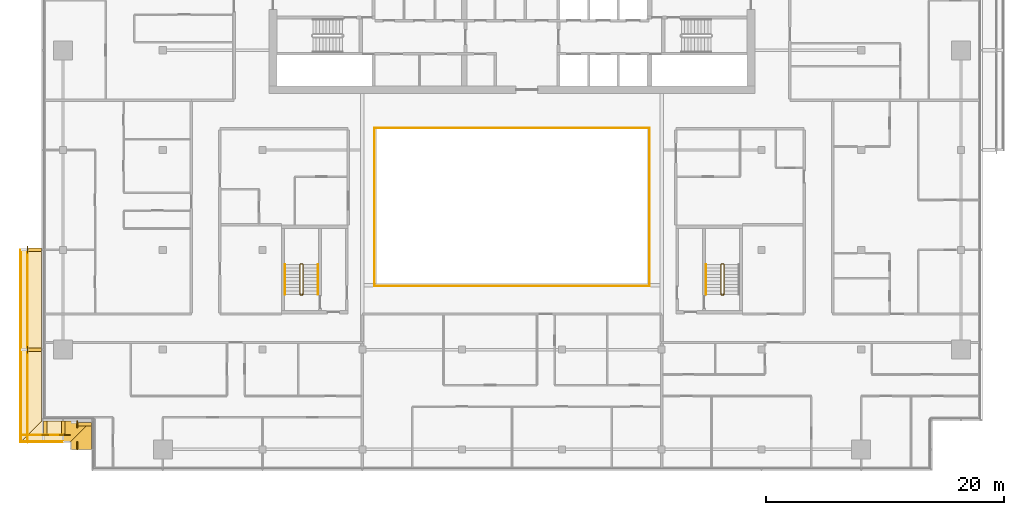
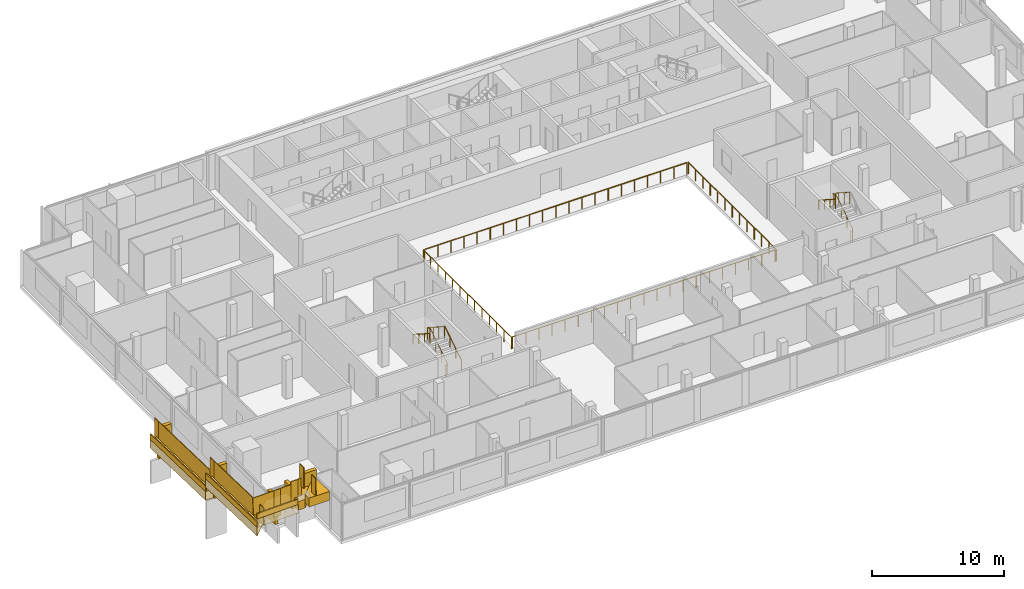
# One storey, part 26 of 30: 19 railings, 13 coverings.
"""IFC4 building model written with IfcOpenShell, lengths in metres."""

from ifc_helpers import new_model, si_unit, direction, frame, origin, origin_2d, place, context, subcontext, project, spatial, polyline, rectangle, circle, outline, extrude, material, layer, layer_set, type_object, element, save


model = new_model("IFC4")

# Units and contexts
model_context = context("Model", 3, precision=1e-05, world=origin(), true_north=direction((0.0, 1.0)))
body_context = subcontext(model_context, "Body", "Model", "MODEL_VIEW")
ifc_project = project(units=[si_unit("LENGTHUNIT", "METRE"), si_unit("AREAUNIT", "SQUARE_METRE"), si_unit("VOLUMEUNIT", "CUBIC_METRE"), si_unit("PLANEANGLEUNIT", "RADIAN"), si_unit("MASSUNIT", "GRAM", prefix="KILO")], contexts=[model_context])

# Site, building, storey
site_placement = place(None, origin())
site = spatial("IfcSite", under=ifc_project, at=site_placement, CompositionType="ELEMENT")
building_placement = place(site_placement, origin())
building = spatial("IfcBuilding", under=site, at=building_placement, Name="Saffron Gate Tower", CompositionType="ELEMENT")
storey_placement = place(building_placement, frame((0.0, 0.0, 245.10009765625)))
storey = spatial("IfcBuildingStorey", under=building, at=storey_placement, Name="L60", CompositionType="ELEMENT", Elevation=245.10009765625)

# Railings
ifc_material_1 = material(Name="Stainless steel and laminated glass", Category="steel")
railing_type_1 = type_object("IfcRailingType", Name="AG1 Atrium edge guard 1100", PredefinedType="GUARDRAIL", material=ifc_material_1)
railing_1_placement = place(storey_placement, frame((76.02001953125, 45.5400390625, 0.0)))
element("IfcRailing", 1, at=railing_1_placement, inside=storey, type_object=railing_type_1, Name="Guard D4-1", PredefinedType="GUARDRAIL", context=body_context, shape_type="SweptSolid", body=[
    extrude(circle(Radius=0.02392578125, at=origin_2d()), frame((0.0, 0.0, 1.076171875), z_axis=(0.0, 1.0, 0.0), x_axis=(-1.0, 0.0, 0.0)), (0.0, 0.0, 1.0), 13.320068359375),
    extrude(circle(Radius=0.02099609375, at=origin_2d()), origin(), (0.0, 0.0, 1.0), 1.052001953125),
    extrude(circle(Radius=0.02099609375, at=origin_2d()), frame((0.0, 1.110107421875, 0.0)), (0.0, 0.0, 1.0), 1.052001953125),
    extrude(circle(Radius=0.02099609375, at=origin_2d()), frame((0.0, 2.219970703125, 0.0)), (0.0, 0.0, 1.0), 1.052001953125),
    extrude(circle(Radius=0.02099609375, at=origin_2d()), frame((0.0, 3.330078125, 0.0)), (0.0, 0.0, 1.0), 1.052001953125),
    extrude(circle(Radius=0.02099609375, at=origin_2d()), frame((0.0, 4.43994140625, 0.0)), (0.0, 0.0, 1.0), 1.052001953125),
    extrude(circle(Radius=0.02099609375, at=origin_2d()), frame((0.0, 5.550048828125, 0.0)), (0.0, 0.0, 1.0), 1.052001953125),
    extrude(circle(Radius=0.02099609375, at=origin_2d()), frame((0.0, 6.66015625, 0.0)), (0.0, 0.0, 1.0), 1.052001953125),
    extrude(circle(Radius=0.02099609375, at=origin_2d()), frame((0.0, 7.77001953125, 0.0)), (0.0, 0.0, 1.0), 1.052001953125),
    extrude(circle(Radius=0.02099609375, at=origin_2d()), frame((0.0, 8.880126953125, 0.0)), (0.0, 0.0, 1.0), 1.052001953125),
    extrude(circle(Radius=0.02099609375, at=origin_2d()), frame((0.0, 9.989990234375, 0.0)), (0.0, 0.0, 1.0), 1.052001953125),
    extrude(circle(Radius=0.02099609375, at=origin_2d()), frame((0.0, 11.10009765625, 0.0)), (0.0, 0.0, 1.0), 1.052001953125),
    extrude(circle(Radius=0.02099609375, at=origin_2d()), frame((0.0, 12.2099609375, 0.0)), (0.0, 0.0, 1.0), 1.052001953125),
    extrude(circle(Radius=0.02099609375, at=origin_2d()), frame((0.0, 13.320068359375, 0.0)), (0.0, 0.0, 1.0), 1.052001953125),
])
railing_2_placement = place(storey_placement, frame((76.139892578125, 58.860107421875, 0.0)))
element("IfcRailing", 2, at=railing_2_placement, inside=storey, type_object=railing_type_1, Name="Guard D4-2", PredefinedType="GUARDRAIL", context=body_context, shape_type="SweptSolid", body=[
    extrude(circle(Radius=0.02392578125, at=origin_2d()), frame((0.0, 0.0, 1.076171875), z_axis=(1.0, 0.0, 0.0), x_axis=(0.0, 1.0, 0.0)), (0.0, 0.0, 1.0), 22.920166015625),
    extrude(circle(Radius=0.02099609375, at=origin_2d()), origin(), (0.0, 0.0, 1.0), 1.052001953125),
    extrude(circle(Radius=0.02099609375, at=origin_2d()), frame((1.14599609375, 0.0, 0.0)), (0.0, 0.0, 1.0), 1.052001953125),
    extrude(circle(Radius=0.02099609375, at=origin_2d()), frame((2.2919921875, 0.0, 0.0)), (0.0, 0.0, 1.0), 1.052001953125),
    extrude(circle(Radius=0.02099609375, at=origin_2d()), frame((3.43798828125, 0.0, 0.0)), (0.0, 0.0, 1.0), 1.052001953125),
    extrude(circle(Radius=0.02099609375, at=origin_2d()), frame((4.583984375, 0.0, 0.0)), (0.0, 0.0, 1.0), 1.052001953125),
    extrude(circle(Radius=0.02099609375, at=origin_2d()), frame((5.72998046875, 0.0, 0.0)), (0.0, 0.0, 1.0), 1.052001953125),
    extrude(circle(Radius=0.02099609375, at=origin_2d()), frame((6.8759765625, 0.0, 0.0)), (0.0, 0.0, 1.0), 1.052001953125),
    extrude(circle(Radius=0.02099609375, at=origin_2d()), frame((8.02197265625, 0.0, 0.0)), (0.0, 0.0, 1.0), 1.052001953125),
    extrude(circle(Radius=0.02099609375, at=origin_2d()), frame((9.16796875, 0.0, 0.0)), (0.0, 0.0, 1.0), 1.052001953125),
    extrude(circle(Radius=0.02099609375, at=origin_2d()), frame((10.31396484375, 0.0, 0.0)), (0.0, 0.0, 1.0), 1.052001953125),
    extrude(circle(Radius=0.02099609375, at=origin_2d()), frame((11.4599609375, 0.0, 0.0)), (0.0, 0.0, 1.0), 1.052001953125),
    extrude(circle(Radius=0.02099609375, at=origin_2d()), frame((12.606201171875, 0.0, 0.0)), (0.0, 0.0, 1.0), 1.052001953125),
    extrude(circle(Radius=0.02099609375, at=origin_2d()), frame((13.752197265625, 0.0, 0.0)), (0.0, 0.0, 1.0), 1.052001953125),
    extrude(circle(Radius=0.02099609375, at=origin_2d()), frame((14.898193359375, 0.0, 0.0)), (0.0, 0.0, 1.0), 1.052001953125),
    extrude(circle(Radius=0.02099609375, at=origin_2d()), frame((16.044189453125, 0.0, 0.0)), (0.0, 0.0, 1.0), 1.052001953125),
    extrude(circle(Radius=0.02099609375, at=origin_2d()), frame((17.190185546875, 0.0, 0.0)), (0.0, 0.0, 1.0), 1.052001953125),
    extrude(circle(Radius=0.02099609375, at=origin_2d()), frame((18.336181640625, 0.0, 0.0)), (0.0, 0.0, 1.0), 1.052001953125),
    extrude(circle(Radius=0.02099609375, at=origin_2d()), frame((19.482177734375, 0.0, 0.0)), (0.0, 0.0, 1.0), 1.052001953125),
    extrude(circle(Radius=0.02099609375, at=origin_2d()), frame((20.628173828125, 0.0, 0.0)), (0.0, 0.0, 1.0), 1.052001953125),
    extrude(circle(Radius=0.02099609375, at=origin_2d()), frame((21.774169921875, 0.0, 0.0)), (0.0, 0.0, 1.0), 1.052001953125),
    extrude(circle(Radius=0.02099609375, at=origin_2d()), frame((22.920166015625, 0.0, 0.0)), (0.0, 0.0, 1.0), 1.052001953125),
])
railing_3_placement = place(storey_placement, frame((99.179931640625, 58.860107421875, 0.0)))
element("IfcRailing", 3, at=railing_3_placement, inside=storey, type_object=railing_type_1, Name="Guard D4-3", PredefinedType="GUARDRAIL", context=body_context, shape_type="SweptSolid", body=[
    extrude(circle(Radius=0.02392578125, at=origin_2d()), frame((0.0, 0.0, 1.076171875), z_axis=(0.0, -1.0, 0.0), x_axis=(1.0, 0.0, 0.0)), (0.0, 0.0, 1.0), 13.320068359375),
    extrude(circle(Radius=0.02099609375, at=origin_2d()), origin(), (0.0, 0.0, 1.0), 1.052001953125),
    extrude(circle(Radius=0.02099609375, at=origin_2d()), frame((0.0, -1.110107421875, 0.0)), (0.0, 0.0, 1.0), 1.052001953125),
    extrude(circle(Radius=0.02099609375, at=origin_2d()), frame((0.0, -2.219970703125, 0.0)), (0.0, 0.0, 1.0), 1.052001953125),
    extrude(circle(Radius=0.02099609375, at=origin_2d()), frame((0.0, -3.330078125, 0.0)), (0.0, 0.0, 1.0), 1.052001953125),
    extrude(circle(Radius=0.02099609375, at=origin_2d()), frame((0.0, -4.43994140625, 0.0)), (0.0, 0.0, 1.0), 1.052001953125),
    extrude(circle(Radius=0.02099609375, at=origin_2d()), frame((0.0, -5.550048828125, 0.0)), (0.0, 0.0, 1.0), 1.052001953125),
    extrude(circle(Radius=0.02099609375, at=origin_2d()), frame((0.0, -6.66015625, 0.0)), (0.0, 0.0, 1.0), 1.052001953125),
    extrude(circle(Radius=0.02099609375, at=origin_2d()), frame((0.0, -7.77001953125, 0.0)), (0.0, 0.0, 1.0), 1.052001953125),
    extrude(circle(Radius=0.02099609375, at=origin_2d()), frame((0.0, -8.880126953125, 0.0)), (0.0, 0.0, 1.0), 1.052001953125),
    extrude(circle(Radius=0.02099609375, at=origin_2d()), frame((0.0, -9.989990234375, 0.0)), (0.0, 0.0, 1.0), 1.052001953125),
    extrude(circle(Radius=0.02099609375, at=origin_2d()), frame((0.0, -11.10009765625, 0.0)), (0.0, 0.0, 1.0), 1.052001953125),
    extrude(circle(Radius=0.02099609375, at=origin_2d()), frame((0.0, -12.2099609375, 0.0)), (0.0, 0.0, 1.0), 1.052001953125),
    extrude(circle(Radius=0.02099609375, at=origin_2d()), frame((0.0, -13.320068359375, 0.0)), (0.0, 0.0, 1.0), 1.052001953125),
])
railing_4_placement = place(storey_placement, frame((99.06005859375, 45.5400390625, 0.0)))
element("IfcRailing", 4, at=railing_4_placement, inside=storey, type_object=railing_type_1, Name="Guard D4-4", PredefinedType="GUARDRAIL", context=body_context, shape_type="SweptSolid", body=[
    extrude(circle(Radius=0.02392578125, at=origin_2d()), frame((0.0, 0.0, 1.076171875), z_axis=(-1.0, 0.0, 0.0), x_axis=(0.0, -1.0, 0.0)), (0.0, 0.0, 1.0), 22.920166015625),
    extrude(circle(Radius=0.02099609375, at=origin_2d()), origin(), (0.0, 0.0, 1.0), 1.052001953125),
    extrude(circle(Radius=0.02099609375, at=origin_2d()), frame((-1.14599609375, 0.0, 0.0)), (0.0, 0.0, 1.0), 1.052001953125),
    extrude(circle(Radius=0.02099609375, at=origin_2d()), frame((-2.2919921875, 0.0, 0.0)), (0.0, 0.0, 1.0), 1.052001953125),
    extrude(circle(Radius=0.02099609375, at=origin_2d()), frame((-3.43798828125, 0.0, 0.0)), (0.0, 0.0, 1.0), 1.052001953125),
    extrude(circle(Radius=0.02099609375, at=origin_2d()), frame((-4.583984375, 0.0, 0.0)), (0.0, 0.0, 1.0), 1.052001953125),
    extrude(circle(Radius=0.02099609375, at=origin_2d()), frame((-5.72998046875, 0.0, 0.0)), (0.0, 0.0, 1.0), 1.052001953125),
    extrude(circle(Radius=0.02099609375, at=origin_2d()), frame((-6.8759765625, 0.0, 0.0)), (0.0, 0.0, 1.0), 1.052001953125),
    extrude(circle(Radius=0.02099609375, at=origin_2d()), frame((-8.02197265625, 0.0, 0.0)), (0.0, 0.0, 1.0), 1.052001953125),
    extrude(circle(Radius=0.02099609375, at=origin_2d()), frame((-9.16796875, 0.0, 0.0)), (0.0, 0.0, 1.0), 1.052001953125),
    extrude(circle(Radius=0.02099609375, at=origin_2d()), frame((-10.31396484375, 0.0, 0.0)), (0.0, 0.0, 1.0), 1.052001953125),
    extrude(circle(Radius=0.02099609375, at=origin_2d()), frame((-11.4599609375, 0.0, 0.0)), (0.0, 0.0, 1.0), 1.052001953125),
    extrude(circle(Radius=0.02099609375, at=origin_2d()), frame((-12.606201171875, 0.0, 0.0)), (0.0, 0.0, 1.0), 1.052001953125),
    extrude(circle(Radius=0.02099609375, at=origin_2d()), frame((-13.752197265625, 0.0, 0.0)), (0.0, 0.0, 1.0), 1.052001953125),
    extrude(circle(Radius=0.02099609375, at=origin_2d()), frame((-14.898193359375, 0.0, 0.0)), (0.0, 0.0, 1.0), 1.052001953125),
    extrude(circle(Radius=0.02099609375, at=origin_2d()), frame((-16.044189453125, 0.0, 0.0)), (0.0, 0.0, 1.0), 1.052001953125),
    extrude(circle(Radius=0.02099609375, at=origin_2d()), frame((-17.190185546875, 0.0, 0.0)), (0.0, 0.0, 1.0), 1.052001953125),
    extrude(circle(Radius=0.02099609375, at=origin_2d()), frame((-18.336181640625, 0.0, 0.0)), (0.0, 0.0, 1.0), 1.052001953125),
    extrude(circle(Radius=0.02099609375, at=origin_2d()), frame((-19.482177734375, 0.0, 0.0)), (0.0, 0.0, 1.0), 1.052001953125),
    extrude(circle(Radius=0.02099609375, at=origin_2d()), frame((-20.628173828125, 0.0, 0.0)), (0.0, 0.0, 1.0), 1.052001953125),
    extrude(circle(Radius=0.02099609375, at=origin_2d()), frame((-21.774169921875, 0.0, 0.0)), (0.0, 0.0, 1.0), 1.052001953125),
    extrude(circle(Radius=0.02099609375, at=origin_2d()), frame((-22.920166015625, 0.0, 0.0)), (0.0, 0.0, 1.0), 1.052001953125),
])
railing_type_2 = type_object("IfcRailingType", Name="CR1 Stair guard 1100", PredefinedType="GUARDRAIL", material=ifc_material_1)
railing_5_placement = place(storey_placement, frame((69.800048828125, 44.800048828125, 0.0)))
element("IfcRailing", 5, at=railing_5_placement, inside=storey, type_object=railing_type_2, Name="L60 ST-D stair guard 1", PredefinedType="GUARDRAIL", context=body_context, shape_type="SweptSolid", body=[
    extrude(circle(Radius=0.02392578125, at=origin_2d()), frame((0.0, 0.0, 1.076171875), z_axis=(1.0, 0.0, 0.0), x_axis=(0.0, 1.0, 0.0)), (0.0, 0.0, 1.0), 0.14990234375),
    extrude(circle(Radius=0.02392578125, at=origin_2d()), frame((0.14990234375, 0.0, 1.076171875), z_axis=(0.258847668887, 0.258847668887, 0.930588936439), x_axis=(-0.707106781187, 0.707106781187, 0.0)), (0.0, 0.0, 1.0), 0.193359375),
    extrude(circle(Radius=0.02392578125, at=origin_2d()), frame((0.199951171875, 0.050048828125, 1.255859375), z_axis=(0.0, 0.841199657755, 0.540724639528), x_axis=(-1.0, 0.0, 0.0)), (0.0, 0.0, 1.0), 2.995849609375),
    extrude(circle(Radius=0.02392578125, at=origin_2d()), frame((0.199951171875, 2.570068359375, 2.8759765625), z_axis=(-0.708833529934, 0.705375805398, 0.0), x_axis=(-0.705375805398, -0.708833529934, 0.0)), (0.0, 0.0, 1.0), 0.070556640625),
    extrude(circle(Radius=0.02392578125, at=origin_2d()), frame((0.14990234375, 2.619873046875, 2.8759765625), z_axis=(-1.0, 0.0, 0.0), x_axis=(0.0, -1.0, 0.0)), (0.0, 0.0, 1.0), 0.14990234375),
    extrude(circle(Radius=0.02392578125, at=origin_2d()), frame((0.0, 2.619873046875, 2.8759765625), z_axis=(-0.258627984543, -0.257366384619, 0.931060744355), x_axis=(0.705375805398, -0.708833529934, 0.0)), (0.0, 0.0, 1.0), 0.193603515625),
    extrude(circle(Radius=0.02392578125, at=origin_2d()), frame((-0.050048828125, 2.570068359375, 3.05615234375), z_axis=(0.0, -0.841199657755, 0.540724639528), x_axis=(1.0, 0.0, 0.0)), (0.0, 0.0, 1.0), 2.995849609375),
    extrude(circle(Radius=0.02099609375, at=origin_2d()), origin(), (0.0, 0.0, 1.0), 1.052001953125),
    extrude(circle(Radius=0.02099609375, at=origin_2d()), frame((0.14990234375, 0.0, 0.0)), (0.0, 0.0, 1.0), 1.052001953125),
    extrude(circle(Radius=0.02099609375, at=origin_2d()), frame((0.199951171875, 0.050048828125, 0.179931640625)), (0.0, 0.0, 1.0), 1.052001953125),
    extrude(circle(Radius=0.02099609375, at=origin_2d()), frame((0.199951171875, 0.89013671875, 0.719970703125)), (0.0, 0.0, 1.0), 1.052001953125),
    extrude(circle(Radius=0.02099609375, at=origin_2d()), frame((0.199951171875, 1.72998046875, 1.259765625)), (0.0, 0.0, 1.0), 1.052001953125),
    extrude(circle(Radius=0.02099609375, at=origin_2d()), frame((0.199951171875, 2.570068359375, 1.7998046875)), (0.0, 0.0, 1.0), 1.052001953125),
    extrude(circle(Radius=0.02099609375, at=origin_2d()), frame((0.14990234375, 2.619873046875, 1.7998046875)), (0.0, 0.0, 1.0), 1.052001953125),
    extrude(circle(Radius=0.02099609375, at=origin_2d()), frame((0.0, 2.619873046875, 1.7998046875)), (0.0, 0.0, 1.0), 1.052001953125),
    extrude(circle(Radius=0.02099609375, at=origin_2d()), frame((-0.050048828125, 2.570068359375, 1.97998046875)), (0.0, 0.0, 1.0), 1.052001953125),
    extrude(circle(Radius=0.02099609375, at=origin_2d()), frame((-0.050048828125, 1.72998046875, 2.52001953125)), (0.0, 0.0, 1.0), 1.052001953125),
    extrude(circle(Radius=0.02099609375, at=origin_2d()), frame((-0.050048828125, 0.89013671875, 3.059814453125)), (0.0, 0.0, 1.0), 1.052001953125),
    extrude(circle(Radius=0.02099609375, at=origin_2d()), frame((-0.050048828125, 0.050048828125, 3.599853515625)), (0.0, 0.0, 1.0), 1.052001953125),
])
railing_6_placement = place(storey_placement, frame((105.25, 44.800048828125, 0.0)))
element("IfcRailing", 6, at=railing_6_placement, inside=storey, type_object=railing_type_2, Name="L60 ST-E stair guard 1", PredefinedType="GUARDRAIL", context=body_context, shape_type="SweptSolid", body=[
    extrude(circle(Radius=0.02392578125, at=origin_2d()), frame((0.0, 0.0, 1.076171875), z_axis=(1.0, 0.0, 0.0), x_axis=(0.0, 1.0, 0.0)), (0.0, 0.0, 1.0), 0.14990234375),
    extrude(circle(Radius=0.02392578125, at=origin_2d()), frame((0.14990234375, 0.0, 1.076171875), z_axis=(0.258847668887, 0.258847668887, 0.930588936439), x_axis=(-0.707106781187, 0.707106781187, 0.0)), (0.0, 0.0, 1.0), 0.193359375),
    extrude(circle(Radius=0.02392578125, at=origin_2d()), frame((0.199951171875, 0.050048828125, 1.255859375), z_axis=(0.0, 0.841199657755, 0.540724639528), x_axis=(-1.0, 0.0, 0.0)), (0.0, 0.0, 1.0), 2.995849609375),
    extrude(circle(Radius=0.02392578125, at=origin_2d()), frame((0.199951171875, 2.570068359375, 2.8759765625), z_axis=(-0.708833529934, 0.705375805398, 0.0), x_axis=(-0.705375805398, -0.708833529934, 0.0)), (0.0, 0.0, 1.0), 0.070556640625),
    extrude(circle(Radius=0.02392578125, at=origin_2d()), frame((0.14990234375, 2.619873046875, 2.8759765625), z_axis=(-1.0, 0.0, 0.0), x_axis=(0.0, -1.0, 0.0)), (0.0, 0.0, 1.0), 0.14990234375),
    extrude(circle(Radius=0.02392578125, at=origin_2d()), frame((0.0, 2.619873046875, 2.8759765625), z_axis=(-0.258627984543, -0.257366384619, 0.931060744355), x_axis=(0.705375805398, -0.708833529934, 0.0)), (0.0, 0.0, 1.0), 0.193603515625),
    extrude(circle(Radius=0.02392578125, at=origin_2d()), frame((-0.050048828125, 2.570068359375, 3.05615234375), z_axis=(0.0, -0.841199657755, 0.540724639528), x_axis=(1.0, 0.0, 0.0)), (0.0, 0.0, 1.0), 2.995849609375),
    extrude(circle(Radius=0.02099609375, at=origin_2d()), origin(), (0.0, 0.0, 1.0), 1.052001953125),
    extrude(circle(Radius=0.02099609375, at=origin_2d()), frame((0.14990234375, 0.0, 0.0)), (0.0, 0.0, 1.0), 1.052001953125),
    extrude(circle(Radius=0.02099609375, at=origin_2d()), frame((0.199951171875, 0.050048828125, 0.179931640625)), (0.0, 0.0, 1.0), 1.052001953125),
    extrude(circle(Radius=0.02099609375, at=origin_2d()), frame((0.199951171875, 0.89013671875, 0.719970703125)), (0.0, 0.0, 1.0), 1.052001953125),
    extrude(circle(Radius=0.02099609375, at=origin_2d()), frame((0.199951171875, 1.72998046875, 1.259765625)), (0.0, 0.0, 1.0), 1.052001953125),
    extrude(circle(Radius=0.02099609375, at=origin_2d()), frame((0.199951171875, 2.570068359375, 1.7998046875)), (0.0, 0.0, 1.0), 1.052001953125),
    extrude(circle(Radius=0.02099609375, at=origin_2d()), frame((0.14990234375, 2.619873046875, 1.7998046875)), (0.0, 0.0, 1.0), 1.052001953125),
    extrude(circle(Radius=0.02099609375, at=origin_2d()), frame((0.0, 2.619873046875, 1.7998046875)), (0.0, 0.0, 1.0), 1.052001953125),
    extrude(circle(Radius=0.02099609375, at=origin_2d()), frame((-0.050048828125, 2.570068359375, 1.97998046875)), (0.0, 0.0, 1.0), 1.052001953125),
    extrude(circle(Radius=0.02099609375, at=origin_2d()), frame((-0.050048828125, 1.72998046875, 2.52001953125)), (0.0, 0.0, 1.0), 1.052001953125),
    extrude(circle(Radius=0.02099609375, at=origin_2d()), frame((-0.050048828125, 0.89013671875, 3.059814453125)), (0.0, 0.0, 1.0), 1.052001953125),
    extrude(circle(Radius=0.02099609375, at=origin_2d()), frame((-0.050048828125, 0.050048828125, 3.599853515625)), (0.0, 0.0, 1.0), 1.052001953125),
])
ifc_material_2 = material(Name="Stainless steel", Category="steel")
railing_type_3 = type_object("IfcRailingType", Name="CR2 Stair handrail 900", PredefinedType="HANDRAIL", material=ifc_material_2)
railing_7_placement = place(storey_placement, frame((71.25, 44.85009765625, 0.179931640625)))
element("IfcRailing", 7, at=railing_7_placement, inside=storey, type_object=railing_type_3, Name="L60 ST-D stair handrail 1", PredefinedType="HANDRAIL", context=body_context, shape_type="SweptSolid", body=[
    extrude(circle(Radius=0.02392578125, at=origin_2d()), frame((0.0, 0.0, 0.8759765625), z_axis=(0.0, 0.841199657755, 0.540724639528), x_axis=(-1.0, 0.0, 0.0)), (0.0, 0.0, 1.0), 2.995849609375),
    extrude(circle(Radius=0.02099609375, at=origin_2d()), origin(), (0.0, 0.0, 1.0), 0.851806640625),
    extrude(circle(Radius=0.02099609375, at=origin_2d()), frame((0.0, 0.840087890625, 0.5400390625)), (0.0, 0.0, 1.0), 0.851806640625),
    extrude(circle(Radius=0.02099609375, at=origin_2d()), frame((0.0, 1.679931640625, 1.079833984375)), (0.0, 0.0, 1.0), 0.851806640625),
    extrude(circle(Radius=0.02099609375, at=origin_2d()), frame((0.0, 2.52001953125, 1.619873046875)), (0.0, 0.0, 1.0), 0.851806640625),
])
for number, where, name in (
    (8, (68.5, 47.3701171875, 1.97998046875), "L60 ST-D stair handrail 2"),
    (9, (103.949951171875, 47.3701171875, 1.97998046875), "L60 ST-E stair handrail 2"),
):
    element("IfcRailing", number, at=place(storey_placement, frame(where)), inside=storey, type_object=railing_type_3, Name=name, PredefinedType="HANDRAIL", context=body_context, shape_type="SweptSolid", body=[
        extrude(circle(Radius=0.02392578125, at=origin_2d()), frame((0.0, 0.0, 0.8759765625), z_axis=(0.0, -0.841199657755, 0.540724639528), x_axis=(1.0, 0.0, 0.0)), (0.0, 0.0, 1.0), 2.995849609375),
        extrude(circle(Radius=0.02099609375, at=origin_2d()), origin(), (0.0, 0.0, 1.0), 0.851806640625),
        extrude(circle(Radius=0.02099609375, at=origin_2d()), frame((0.0, -0.840087890625, 0.5400390625)), (0.0, 0.0, 1.0), 0.851806640625),
        extrude(circle(Radius=0.02099609375, at=origin_2d()), frame((0.0, -1.679931640625, 1.079833984375)), (0.0, 0.0, 1.0), 0.851806640625),
        extrude(circle(Radius=0.02099609375, at=origin_2d()), frame((0.0, -2.52001953125, 1.619873046875)), (0.0, 0.0, 1.0), 0.851806640625),
    ])

# Coverings
ifc_material_3 = material(Name="Timber, thermally modified ash", Category="wood")
ifc_layer_1 = layer(ifc_material_3, 0.800048828125)
ifc_layer_set_1 = layer_set([ifc_layer_1], Name="LD1 ledge timber")
covering_type_1 = type_object("IfcCoveringType", Name="LD1 ledge timber", PredefinedType="CLADDING", material=ifc_layer_set_1)
covering_1_placement = place(storey_placement, frame((48.0, 48.60009765625, 0.242919921875), z_axis=(0.0, 0.028819366951, 0.999584635781), x_axis=(0.0, -0.999584635781, 0.028819366951)))
element("IfcCovering", 10, at=covering_1_placement, inside=storey, type_object=covering_type_1, Name="LEDGE", PredefinedType="CLADDING", context=body_context, shape_type="SweptSolid", body=[
    extrude(outline(polyline([(0.0, 0.0), (8.403637054520734, 0.0), (8.403637054520734, -1.800048828125), (0.0, -1.800048828125), (0.0, 0.0)])), origin(), (0.0, 0.0, -1.0), 0.800048828125),
])
covering_2_placement = place(storey_placement, frame((48.0, 40.199951171875, 1.685302734375), z_axis=(3.5027307e-05, 0.028807146299, 0.99958498743), x_axis=(3.68e-10, -0.999584988043, 0.028807146316)))
element("IfcCovering", 11, at=covering_2_placement, inside=storey, type_object=covering_type_1, Name="LEDGE", PredefinedType="CLADDING", context=body_context, shape_type="SweptSolid", body=[
    extrude(outline(polyline([(0.0, 0.0), (6.0024892885105, -2.541098841762901e-21), (7.8032891020589235, -1.8000488321003227), (-6.622937652878055e-10, -1.8000488270207489), (0.0, 0.0)])), origin(), (0.0, 0.0, -1.0), 0.800048828125),
])
covering_3_placement = place(storey_placement, frame((48.0, 34.199951171875, 2.715576171875), z_axis=(-0.028741681402, 0.0, 0.999586872538), x_axis=(0.999586872538, 0.0, 0.028741681402)))
element("IfcCovering", 12, at=covering_3_placement, inside=storey, type_object=covering_type_1, Name="LEDGE", PredefinedType="CLADDING", context=body_context, shape_type="SweptSolid", body=[
    extrude(outline(polyline([(0.0, 0.0), (1.8007927850779974, 0.0), (1.8007927850779974, -1.800048828125), (-1.8007927850779974, -1.800048828125), (0.0, 0.0)])), origin(), (0.0, 0.0, -1.0), 0.800048828125),
])
covering_4_placement = place(storey_placement, frame((49.800048828125, 34.199951171875, 3.024658203125), z_axis=(-0.028798988267, 2.8677152e-05, 0.999585222706), x_axis=(0.999585223117, 6.17e-10, 0.028798988279)))
element("IfcCovering", 13, at=covering_4_placement, inside=storey, type_object=covering_type_1, Name="LEDGE", PredefinedType="CLADDING", context=body_context, shape_type="SweptSolid", body=[
    extrude(outline(polyline([(0.0, 0.0), (2.400896693585025, 4.235164736271502e-22), (0.6001039103565923, -1.8000488292351675), (-1.1098572600196767e-09, -1.8000488273848385), (0.0, 0.0)])), origin(), (0.0, 0.0, -1.0), 0.800048828125),
])
covering_5_placement = place(storey_placement, frame((52.199951171875, 34.199951171875, 3.436767578125), z_axis=(-2.8677152e-05, 0.028798988267, 0.999585222706), x_axis=(-6.17e-10, -0.999585223117, 0.028798988279)))
element("IfcCovering", 14, at=covering_5_placement, inside=storey, type_object=covering_type_1, Name="LEDGE", PredefinedType="CLADDING", context=body_context, shape_type="SweptSolid", body=[
    extrude(outline(polyline([(0.0, 0.0), (2.400896693585025, -4.235164736271502e-22), (2.400896694694882, -1.8000488273848385), (1.8007927832284332, -1.8000488292351673), (0.0, 0.0)])), origin(), (0.0, 0.0, -1.0), 0.800048828125),
])
ifc_layer_2 = layer(ifc_material_3, 0.080078125)
ifc_layer_set_2 = layer_set([ifc_layer_2], Name="LD2 ledge planter trough")
covering_type_2 = type_object("IfcCoveringType", Name="LD2 ledge planter trough", PredefinedType="CLADDING", material=ifc_layer_set_2)
covering_6_placement = place(storey_placement, frame((46.199951171875, 48.60009765625, 0.242919921875), z_axis=(-1.0, 0.0, 0.0), x_axis=(0.0, -0.999584635781, 0.028819366951)))
element("IfcCovering", 15, at=covering_6_placement, inside=storey, type_object=covering_type_2, Name="LEDGE planter trough", PredefinedType="CLADDING", context=body_context, shape_type="SweptSolid", body=[
    extrude(outline(polyline([(0.0, 0.0), (8.403637054520734, 2.7755575615628914e-17), (8.418046737996397, 0.49979231789027256), (0.014409683475663392, 0.4997923178902725), (0.0, 0.0)])), origin(), (0.0, 0.0, -1.0), 0.080078125),
])
covering_7_placement = place(storey_placement, frame((46.199951171875, 40.199951171875, 1.685302734375), z_axis=(-1.0, 0.0, 0.0), x_axis=(0.0, -0.999584755248, 0.028815222999)))
element("IfcCovering", 16, at=covering_7_placement, inside=storey, type_object=covering_type_2, Name="LEDGE planter trough", PredefinedType="CLADDING", context=body_context, shape_type="SweptSolid", body=[
    extrude(outline(polyline([(0.0, 0.0), (7.803289102975944, 0.0), (7.8176967144752565, 0.4997923776238338), (0.014407611499312996, 0.4997923776238338), (0.0, 0.0)])), origin(), (0.0, 0.0, -1.0), 0.080078125),
])
covering_8_placement = place(storey_placement, frame((46.199951171875, 32.39990234375, 2.663818359375), z_axis=(0.0, -1.0, 0.0), x_axis=(0.999586872538, 0.0, 0.028741681402)))
element("IfcCovering", 17, at=covering_8_placement, inside=storey, type_object=covering_type_2, Name="LEDGE planter trough", PredefinedType="CLADDING", context=body_context, shape_type="SweptSolid", body=[
    extrude(outline(polyline([(0.0, 0.0), (3.601585570155995, 0.0), (3.6159564108570694, 0.49979343626896944), (0.014370840701074394, 0.4997934362689694), (0.0, 0.0)])), origin(), (0.0, 0.0, -1.0), 0.080078125),
])
ifc_layer_3 = layer(ifc_material_3, 0.300048828125)
ifc_layer_set_3 = layer_set([ifc_layer_3], Name="LD3 ledge riser fin")
covering_type_3 = type_object("IfcCoveringType", Name="LD3 ledge riser fin", PredefinedType="CLADDING", material=ifc_layer_set_3)
for number, where, z_axis, x_axis, name in (
    (18, (47.43994140625, 48.60009765625, -1.75732421875), (0.0, 0.0, 1.0), (0.0, -1.0, 0.0), "LEDGE riser fin"),
    (19, (47.43994140625, 40.199951171875, -0.31494140625), (0.0, 0.0, 1.0), (0.0, -1.0, 0.0), "LEDGE riser fin"),
):
    element("IfcCovering", number, at=place(storey_placement, frame(where, z_axis=z_axis, x_axis=x_axis)), inside=storey, type_object=covering_type_3, Name=name, PredefinedType="CLADDING", context=body_context, shape_type="SweptSolid", body=[
        extrude(rectangle(XDim=0.300048828125, YDim=1.1201171875, at=origin_2d()), origin(), (0.0, 0.0, 1.0), 2.900390625),
    ])
covering_9_placement = place(storey_placement, frame((48.300048828125, 33.639892578125, 1.05810546875), z_axis=(0.0, 0.0, 1.0), x_axis=(1.0, 0.0, 0.0)))
element("IfcCovering", 20, at=covering_9_placement, inside=storey, type_object=covering_type_3, Name="LEDGE riser fin", PredefinedType="CLADDING", context=body_context, shape_type="SweptSolid", body=[
    extrude(rectangle(XDim=0.300048828125, YDim=1.1201171875, at=origin_2d()), origin(), (0.0, 0.0, 1.0), 2.557373046875),
])
covering_10_placement = place(storey_placement, frame((49.800048828125, 33.639892578125, 1.96728515625), z_axis=(0.0, 0.0, 1.0), x_axis=(1.0, 0.0, 0.0)))
element("IfcCovering", 21, at=covering_10_placement, inside=storey, type_object=covering_type_3, Name="LEDGE riser fin", PredefinedType="CLADDING", context=body_context, shape_type="SweptSolid", body=[
    extrude(rectangle(XDim=0.300048828125, YDim=1.1201171875, at=origin_2d()), origin(), (0.0, 0.0, 1.0), 1.957275390625),
])
covering_11_placement = place(storey_placement, frame((51.639892578125, 33.89990234375, 2.293701171875), z_axis=(0.0, 0.0, 1.0), x_axis=(0.0, -1.0, 0.0)))
element("IfcCovering", 22, at=covering_11_placement, inside=storey, type_object=covering_type_3, Name="LEDGE riser fin", PredefinedType="CLADDING", context=body_context, shape_type="SweptSolid", body=[
    extrude(rectangle(XDim=0.300048828125, YDim=1.1201171875, at=origin_2d()), origin(), (0.0, 0.0, 1.0), 2.04296875),
])

# Railings
railing_type_4 = type_object("IfcRailingType", Name="LG1 ledge balustrade", PredefinedType="BALUSTRADE", material=ifc_material_3)
railing_8_placement = place(storey_placement, frame((46.800048828125, 48.60009765625, 0.242919921875)))
element("IfcRailing", 23, at=railing_8_placement, inside=storey, type_object=railing_type_4, Name="LEDGE BALUSTRADE", PredefinedType="BALUSTRADE", context=body_context, shape_type="SweptSolid", body=[
    extrude(rectangle(XDim=0.06005859375, YDim=1.60009765625, at=origin_2d()), frame((0.0, 0.0, 0.800048828125), z_axis=(0.0, -0.999584635781, 0.028819366951), x_axis=(1.0, 0.0, 0.0)), (0.0, 0.0, 1.0), 8.403564453125),
])
railing_9_placement = place(storey_placement, frame((46.800048828125, 48.89990234375, -0.957275390625)))
element("IfcRailing", 24, at=railing_9_placement, inside=storey, type_object=railing_type_4, Name="LEDGE BALUSTRADE", PredefinedType="BALUSTRADE", context=body_context, shape_type="SweptSolid", body=[
    extrude(rectangle(XDim=0.06005859375, YDim=2.80029296875, at=origin_2d()), frame((0.0, 0.0, 1.400146484375), z_axis=(0.0, -1.0, 0.0), x_axis=(1.0, 0.0, 0.0)), (0.0, 0.0, 1.0), 0.599853515625),
])
railing_10_placement = place(storey_placement, frame((46.800048828125, 40.199951171875, 1.685302734375)))
element("IfcRailing", 25, at=railing_10_placement, inside=storey, type_object=railing_type_4, Name="LEDGE BALUSTRADE", PredefinedType="BALUSTRADE", context=body_context, shape_type="SweptSolid", body=[
    extrude(rectangle(XDim=0.06005859375, YDim=1.60009765625, at=origin_2d()), frame((0.0, 0.0, 0.800048828125), z_axis=(0.0, -0.999584755248, 0.028815222999), x_axis=(1.0, 0.0, 0.0)), (0.0, 0.0, 1.0), 7.80322265625),
])
railing_11_placement = place(storey_placement, frame((46.800048828125, 40.5, 0.485107421875)))
element("IfcRailing", 26, at=railing_11_placement, inside=storey, type_object=railing_type_4, Name="LEDGE BALUSTRADE", PredefinedType="BALUSTRADE", context=body_context, shape_type="SweptSolid", body=[
    extrude(rectangle(XDim=0.06005859375, YDim=2.80029296875, at=origin_2d()), frame((0.0, 0.0, 1.400146484375), z_axis=(0.0, -1.0, 0.0), x_axis=(1.0, 0.0, 0.0)), (0.0, 0.0, 1.0), 0.60009765625),
])
railing_12_placement = place(storey_placement, frame((46.199951171875, 33.0, 2.663818359375)))
element("IfcRailing", 27, at=railing_12_placement, inside=storey, type_object=railing_type_4, Name="LEDGE BALUSTRADE", PredefinedType="BALUSTRADE", context=body_context, shape_type="SweptSolid", body=[
    extrude(rectangle(XDim=0.06005859375, YDim=1.60009765625, at=origin_2d()), frame((0.0, 0.0, 0.800048828125), z_axis=(0.999586872538, 0.0, 0.028741681402), x_axis=(0.0, 1.0, 0.0)), (0.0, 0.0, 1.0), 3.6015625),
])
railing_13_placement = place(storey_placement, frame((48.0, 33.0, 1.858154296875)))
element("IfcRailing", 28, at=railing_13_placement, inside=storey, type_object=railing_type_4, Name="LEDGE BALUSTRADE", PredefinedType="BALUSTRADE", context=body_context, shape_type="SweptSolid", body=[
    extrude(rectangle(XDim=0.06005859375, YDim=2.45751953125, at=origin_2d()), frame((0.0, 0.0, 1.228759765625), z_axis=(1.0, 0.0, 0.0), x_axis=(0.0, 1.0, 0.0)), (0.0, 0.0, 1.0), 0.60009765625),
])
railing_14_placement = place(storey_placement, frame((49.800048828125, 33.0, 3.024658203125)))
element("IfcRailing", 29, at=railing_14_placement, inside=storey, type_object=railing_type_4, Name="LEDGE BALUSTRADE", PredefinedType="BALUSTRADE", context=body_context, shape_type="SweptSolid", body=[
    extrude(rectangle(XDim=0.06005859375, YDim=1.60009765625, at=origin_2d()), frame((0.0, 0.0, 0.800048828125), z_axis=(0.999582742162, 0.0, 0.028884971385), x_axis=(0.0, 1.0, 0.0)), (0.0, 0.0, 1.0), 0.60009765625),
])
railing_15_placement = place(storey_placement, frame((49.5, 33.0, 2.767333984375)))
element("IfcRailing", 30, at=railing_15_placement, inside=storey, type_object=railing_type_4, Name="LEDGE BALUSTRADE", PredefinedType="BALUSTRADE", context=body_context, shape_type="SweptSolid", body=[
    extrude(rectangle(XDim=0.06005859375, YDim=1.857177734375, at=origin_2d()), frame((0.0, 0.0, 0.9287109375), z_axis=(1.0, 0.0, 0.0), x_axis=(0.0, 1.0, 0.0)), (0.0, 0.0, 1.0), 0.60009765625),
])
railing_16_placement = place(storey_placement, frame((51.0, 32.39990234375, 3.488525390625)))
element("IfcRailing", 31, at=railing_16_placement, inside=storey, type_object=railing_type_4, Name="LEDGE BALUSTRADE", PredefinedType="BALUSTRADE", context=body_context, shape_type="SweptSolid", body=[
    extrude(rectangle(XDim=0.06005859375, YDim=1.60009765625, at=origin_2d()), frame((0.0, 0.0, 0.800048828125), z_axis=(0.0, -0.999582742162, 0.028884971385), x_axis=(1.0, 0.0, 0.0)), (0.0, 0.0, 1.0), 0.60009765625),
])
railing_17_placement = place(storey_placement, frame((51.0, 34.199951171875, 3.09375)))
element("IfcRailing", 32, at=railing_17_placement, inside=storey, type_object=railing_type_4, Name="LEDGE BALUSTRADE", PredefinedType="BALUSTRADE", context=body_context, shape_type="SweptSolid", body=[
    extrude(rectangle(XDim=0.06005859375, YDim=1.943115234375, at=origin_2d()), frame((0.0, 0.0, 0.9716796875), z_axis=(0.0, -1.0, 0.0), x_axis=(1.0, 0.0, 0.0)), (0.0, 0.0, 1.0), 0.599853515625),
])

save(model, "model.ifc")
